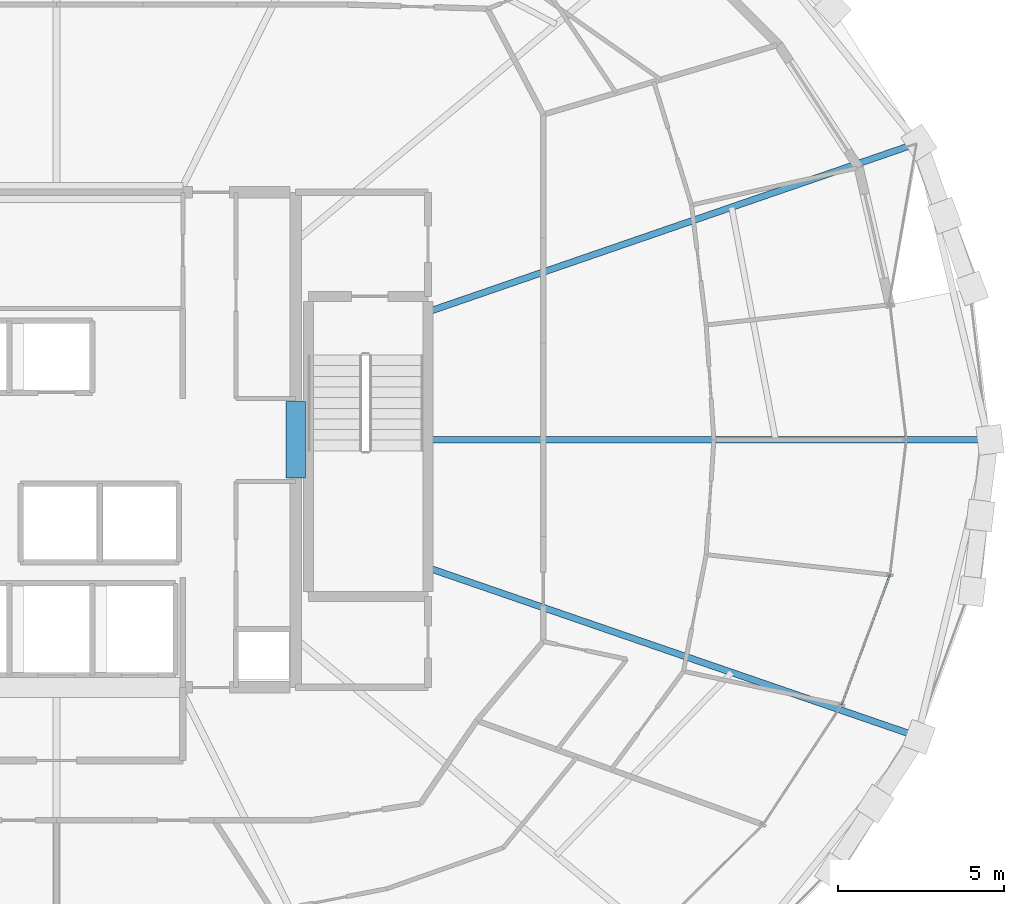
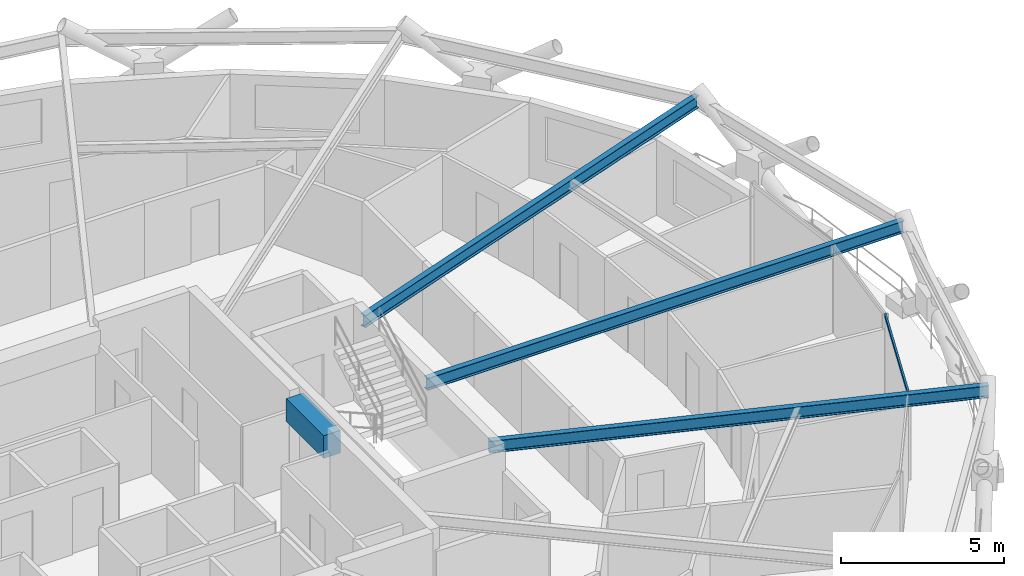
# One storey, part 10 of 19: 4 beams, 1 member, 1 element without a shape of its own.
"""IFC4 building model written with IfcOpenShell, lengths in metres."""

from ifc_helpers import new_model, si_unit, direction, frame, origin, origin_2d, place, context, subcontext, project, spatial, rectangle, hollow_rectangle, i_section, extrude, material, layer, layer_set, material_profile, profile_set, type_object, element, aggregate, save


model = new_model("IFC4")

# Units and contexts
model_context = context("Model", 3, precision=1e-05, world=origin(), true_north=direction((0.0, 1.0)))
body_context = subcontext(model_context, "Body", "Model", "MODEL_VIEW")
ifc_project = project(units=[si_unit("LENGTHUNIT", "METRE"), si_unit("AREAUNIT", "SQUARE_METRE"), si_unit("VOLUMEUNIT", "CUBIC_METRE"), si_unit("PLANEANGLEUNIT", "RADIAN"), si_unit("MASSUNIT", "GRAM", prefix="KILO")], contexts=[model_context])

# Site, building, storey
site_placement = place(None, origin())
site = spatial("IfcSite", under=ifc_project, at=site_placement, CompositionType="ELEMENT")
building_placement = place(site_placement, origin())
building = spatial("IfcBuilding", under=site, at=building_placement, Name="Veldorina Hangang Commons", CompositionType="ELEMENT")
storey_placement = place(building_placement, frame((0.0, 0.0, 167.60009765625)))
storey = spatial("IfcBuildingStorey", under=building, at=storey_placement, Name="L43", CompositionType="ELEMENT", Elevation=167.60009765625)

# Beams
ifc_material_1 = material(Name="Concrete C60/75", Category="concrete")
ifc_material_profile_1 = material_profile(ifc_material_1, rectangle(XDim=0.60009765625, YDim=0.85009765625, at=origin_2d()), Name="RC-CB-600x850")
ifc_profile_set_1 = profile_set([ifc_material_profile_1], Name="Concrete C60/75")
beam_type_1 = type_object("IfcBeamType", Name="BM-CB850", PredefinedType="LINTEL", material=ifc_profile_set_1)
beam_1_placement = place(storey_placement, frame((39.199951171875, 22.85009765625, 2.9248046875), z_axis=(0.0, 1.0, 0.0), x_axis=(-1.0, 0.0, 0.0)))
element("IfcBeam", 1, at=beam_1_placement, inside=storey, type_object=beam_type_1, Name="L43 E core coupling lintel beam", PredefinedType="LINTEL", context=body_context, shape_type="SweptSolid", body=[
    extrude(rectangle(XDim=0.60009765625, YDim=0.85009765625, at=origin_2d()), origin(), (0.0, 0.0, 1.0), 2.2998046875),
])
ifc_material_2 = material(Name="Steel SM355-TMC", Category="steel")
ifc_material_profile_2 = material_profile(ifc_material_2, i_section(OverallWidth=0.199951171875, OverallDepth=0.449951171875, WebThickness=0.009033203125, FlangeThickness=0.013916015625, FilletRadius=0.01611328125, at=origin_2d()), Name="H-450x200x9x14")
ifc_profile_set_2 = profile_set([ifc_material_profile_2], Name="Steel SM355-TMC")
beam_type_2 = type_object("IfcBeamType", Name="BM-FG450", PredefinedType="BEAM", material=ifc_profile_set_2)
beam_2_placement = place(storey_placement, frame((43.179931640625, 24.0, 3.125), z_axis=(1.0, 0.0, 0.0), x_axis=(0.0, 1.0, 0.0)))
element("IfcBeam", 2, at=beam_2_placement, inside=storey, type_object=beam_type_2, Name="L43 radial floor girder 01", PredefinedType="BEAM", context=body_context, shape_type="SweptSolid", body=[
    extrude(i_section(OverallWidth=0.199951171875, OverallDepth=0.449951171875, WebThickness=0.009033203125, FlangeThickness=0.013916015625, FilletRadius=0.01611328125, at=origin_2d()), origin(), (0.0, 0.0, 1.0), 16.87451171875),
])
for number, where, z_axis, x_axis, name in (
    (3, (43.179931640625, 27.852294921875, 3.125), (0.945443357189, 0.325786522661, 0.0), (-0.325786522661, 0.945443357189, 0.0), "L43 radial floor girder 02"),
    (4, (43.179931640625, 20.147705078125, 3.125), (0.945443357189, -0.325786522661, 0.0), (0.325786522661, 0.945443357189, 0.0), "L43 radial floor girder 16"),
):
    element("IfcBeam", number, at=place(storey_placement, frame(where, z_axis=z_axis, x_axis=x_axis)), inside=storey, type_object=beam_type_2, Name=name, PredefinedType="BEAM", context=body_context, shape_type="SweptSolid", body=[
        extrude(i_section(OverallWidth=0.199951171875, OverallDepth=0.449951171875, WebThickness=0.009033203125, FlangeThickness=0.013916015625, FilletRadius=0.01611328125, at=origin_2d()), origin(), (0.0, 0.0, 1.0), 15.589599609375),
    ])

# Curtain wall, member
ifc_material_3 = material(Name="Glass Low-E Triple IGU", Category="glass")
ifc_layer = layer(ifc_material_3, 0.179931640625)
ifc_layer_set = layer_set([ifc_layer], Name="Glass Low-E Triple IGU")
curtain_wall_type = type_object("IfcCurtainWallType", Name="CW-SYS-Z2", PredefinedType="NOTDEFINED", material=ifc_layer_set)
curtain_wall_placement = place(storey_placement, origin())
curtain_wall = element("IfcCurtainWall", 5, at=curtain_wall_placement, inside=storey, type_object=curtain_wall_type, Name="L43 unitised curtain wall CW-L43-R2", PredefinedType="NOTDEFINED")
ifc_material_4 = material(Name="Aluminium Anodized AA6063-T6", Category="aluminium")
ifc_material_profile_3 = material_profile(ifc_material_4, hollow_rectangle(XDim=0.06005859375, YDim=0.139892578125, WallThickness=0.00341796875, at=origin_2d()), Name="ALU-RHS-140x60x3.5")
ifc_profile_set_3 = profile_set([ifc_material_profile_3], Name="Aluminium Anodized AA6063-T6")
member_type = type_object("IfcMemberType", Name="CW-TRN-140", PredefinedType="USERDEFINED", material=ifc_profile_set_3)
member_placement = place(storey_placement, frame((55.62841796875, 16.022216796875, 3.27001953125), z_axis=(0.348756419614, 0.937213401408, 0.0), x_axis=(-0.937213401408, 0.348756419614, 0.0)))
member = element("IfcMember", 6, at=member_placement, type_object=member_type, Name="CW-L43-R2 facet 3 transom 1", ObjectType="TRANSOM", PredefinedType="USERDEFINED", context=body_context, shape_type="SweptSolid", body=[
    extrude(hollow_rectangle(XDim=0.06005859375, YDim=0.139892578125, WallThickness=0.00341796875, at=origin_2d()), origin(), (0.0, 0.0, 1.0), 4.1728515625),
])
aggregate(curtain_wall, [member])

save(model, "model.ifc")
